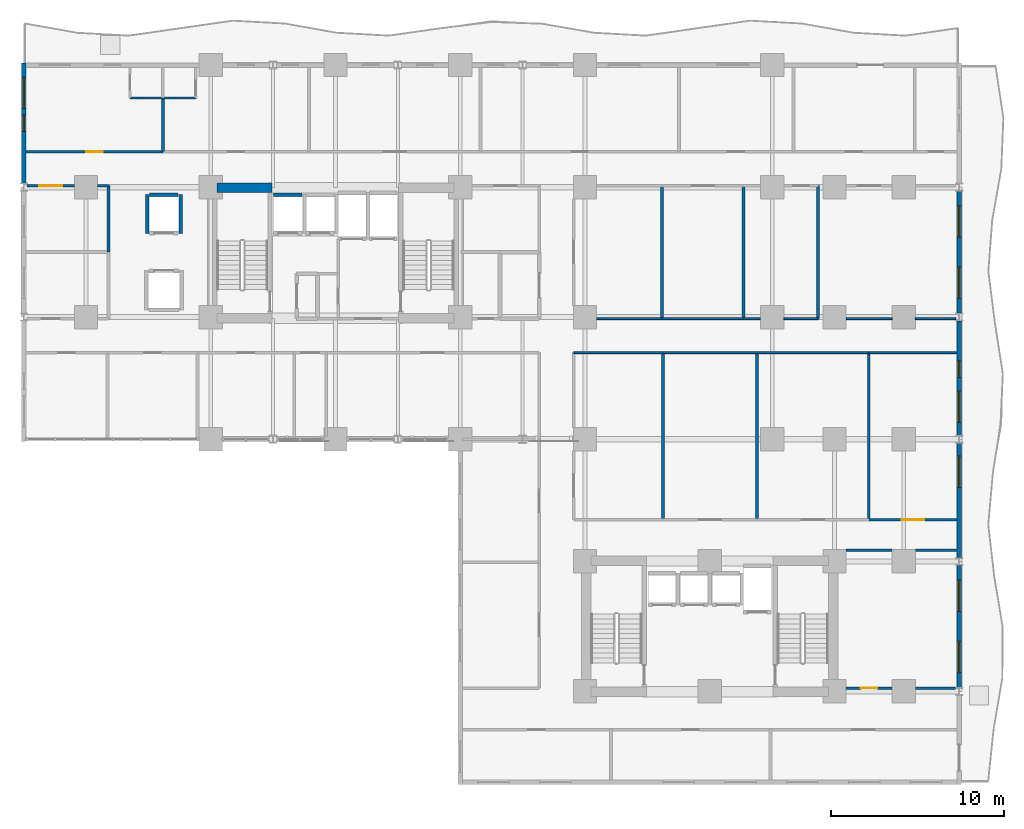
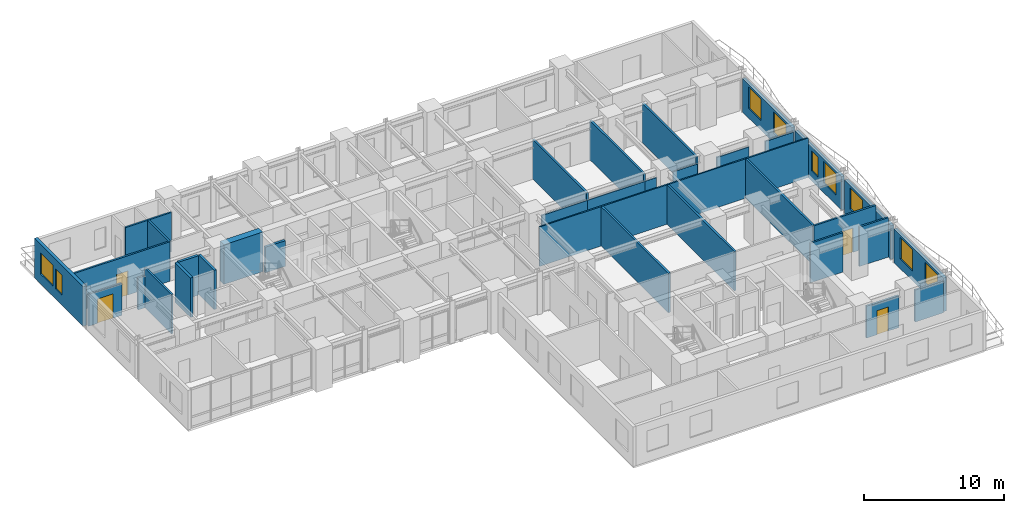
# One storey, part 11 of 17: 38 walls, 9 windows, 4 doors, 13 openings.
"""IFC4 building model written with IfcOpenShell, lengths in metres."""

from ifc_helpers import new_model, si_unit, direction, frame, frame_2d, origin, place, context, subcontext, project, spatial, rectangle, extrude, material, layer, layer_set, type_object, element, fill, save


model = new_model("IFC4")

# Units and contexts
model_context = context("Model", 3, precision=1e-05, world=origin(), true_north=direction((0.0, 1.0)))
body_context = subcontext(model_context, "Body", "Model", "MODEL_VIEW")
ifc_project = project(units=[si_unit("LENGTHUNIT", "METRE"), si_unit("AREAUNIT", "SQUARE_METRE"), si_unit("VOLUMEUNIT", "CUBIC_METRE"), si_unit("PLANEANGLEUNIT", "RADIAN"), si_unit("MASSUNIT", "GRAM", prefix="KILO")], contexts=[model_context])

# Site, building, storey
site_placement = place(None, origin())
site = spatial("IfcSite", under=ifc_project, at=site_placement, CompositionType="ELEMENT")
building_placement = place(site_placement, origin())
building = spatial("IfcBuilding", under=site, at=building_placement, Name="Kaliganga Portal Commons", CompositionType="ELEMENT")
storey_placement = place(building_placement, frame((0.0, 0.0, 43.800048828125)))
storey = spatial("IfcBuildingStorey", under=building, at=storey_placement, Name="L10", CompositionType="ELEMENT", Elevation=43.800048828125)

# Wall
ifc_material_1 = material(Name="Concrete C60/75", Category="concrete")
ifc_layer_1 = layer(ifc_material_1, 0.550048828125)
ifc_layer_set_1 = layer_set([ifc_layer_1], Name="Concrete C60/75")
wall_type_1 = type_object("IfcWallType", Name="WL-CORE-550", PredefinedType="SHEAR", material=ifc_layer_set_1)
wall_1_placement = place(storey_placement, frame((14.75, 36.125, 0.0), z_axis=(0.0, 0.0, 1.0), x_axis=(1.0, 0.0, 0.0)))
element("IfcWall", 1, at=wall_1_placement, inside=storey, type_object=wall_type_1, Name="Core A N-West Shear Wall L10", PredefinedType="SHEAR", context=body_context, shape_type="SweptSolid", body=[
    extrude(rectangle(XDim=3.199951171875, YDim=0.550048828125, at=frame_2d((1.60009765625, 0.0))), origin(), (0.0, 0.0, 1.0), 3.449951171875),
])

# Wall, openings, windows
ifc_material_2 = material(Name="Insulated Aluminium-Clad Spandrel Assembly", Category="aluminium")
ifc_layer_2 = layer(ifc_material_2, 0.260009765625)
ifc_layer_set_2 = layer_set([ifc_layer_2], Name="Insulated Aluminium-Clad Spandrel Assembly")
wall_type_2 = type_object("IfcWallType", Name="WL-EXT-SPAND-260", PredefinedType="STANDARD", material=ifc_layer_set_2)
wall_2_placement = place(storey_placement, frame((57.60009765625, 14.325927734375, 0.0), z_axis=(0.0, 0.0, 1.0), x_axis=(0.0, -1.0, 0.0)))
wall_2 = element("IfcWall", 2, at=wall_2_placement, inside=storey, type_object=wall_type_2, Name="Exterior Envelope Wall L10 P1-E01-S2", PredefinedType="STANDARD", context=body_context, shape_type="SweptSolid", body=[
    extrude(rectangle(XDim=7.052001953125, YDim=0.260009765625, at=frame_2d((3.52587890625, 0.0))), origin(), (0.0, 0.0, 1.0), 2.929931640625),
])
opening_1_placement = place(wall_2_placement, frame((0.863037109375, 0.0, 0.85009765625)))
opening_1 = element("IfcOpeningElement", 3, at=opening_1_placement, cuts=wall_2, Name="Opening W-01", PredefinedType="OPENING", context=body_context, shape_type="SweptSolid", body=[
    extrude(rectangle(XDim=1.800048828125, YDim=1.85009765625, at=frame_2d((0.89990234375, 0.925048828125))), frame((0.0, 0.14013671875, 0.0), z_axis=(0.0, -1.0, 0.0), x_axis=(1.0, 0.0, 0.0)), (0.0, 0.0, 1.0), 0.280029296875),
])
opening_2_placement = place(wall_2_placement, frame((4.388916015625, 0.0, 0.85009765625)))
opening_2 = element("IfcOpeningElement", 4, at=opening_2_placement, cuts=wall_2, Name="Opening W-01", PredefinedType="OPENING", context=body_context, shape_type="SweptSolid", body=[
    extrude(rectangle(XDim=1.800048828125, YDim=1.85009765625, at=frame_2d((0.89990234375, 0.925048828125))), frame((0.0, 0.14013671875, 0.0), z_axis=(0.0, -1.0, 0.0), x_axis=(1.0, 0.0, 0.0)), (0.0, 0.0, 1.0), 0.280029296875),
])
ifc_material_3 = material(Name="Thermally Broken Aluminium and Low-E Double Glazing", Category="aluminium")
window_type_1 = type_object("IfcWindowType", Name="WIN-STD-1800", PartitioningType="DOUBLE_PANEL_VERTICAL", PredefinedType="WINDOW", material=ifc_material_3)
window_1_placement = place(opening_1_placement, origin())
window_1 = element("IfcWindow", 5, at=window_1_placement, inside=storey, type_object=window_type_1, Name="Facade Window L10-P1E01S2-00", OverallHeight=1.85009765625, OverallWidth=1.800048828125, PartitioningType="SINGLE_PANEL", PredefinedType="WINDOW", context=body_context, shape_type="SweptSolid", body=[
    extrude(rectangle(XDim=1.800048828125, YDim=1.85009765625, at=frame_2d((0.89990234375, 0.925048828125))), frame((0.0, 0.030029296875, 0.0), z_axis=(0.0, -1.0, 0.0), x_axis=(1.0, 0.0, 0.0)), (0.0, 0.0, 1.0), 0.06005859375),
])
fill(opening_1, window_1)
window_2_placement = place(opening_2_placement, origin())
window_2 = element("IfcWindow", 6, at=window_2_placement, inside=storey, type_object=window_type_1, Name="Facade Window L10-P1E01S2-01", OverallHeight=1.85009765625, OverallWidth=1.800048828125, PartitioningType="SINGLE_PANEL", PredefinedType="WINDOW", context=body_context, shape_type="SweptSolid", body=[
    extrude(rectangle(XDim=1.800048828125, YDim=1.85009765625, at=frame_2d((0.89990234375, 0.925048828125))), frame((0.0, 0.030029296875, 0.0), z_axis=(0.0, -1.0, 0.0), x_axis=(1.0, 0.0, 0.0)), (0.0, 0.0, 1.0), 0.06005859375),
])
fill(opening_2, window_2)

# Wall, opening, window
wall_3_placement = place(storey_placement, frame((57.60009765625, 21.3759765625, 0.0), z_axis=(0.0, 0.0, 1.0), x_axis=(0.0, -1.0, 0.0)))
wall_3 = element("IfcWall", 7, at=wall_3_placement, inside=storey, type_object=wall_type_2, Name="Exterior Envelope Wall L10 P1-E01-S3", PredefinedType="STANDARD", context=body_context, shape_type="SweptSolid", body=[
    extrude(rectangle(XDim=6.60205078125, YDim=0.260009765625, at=frame_2d((3.301025390625, 0.0))), origin(), (0.0, 0.0, 1.0), 2.929931640625),
])
opening_3_placement = place(wall_3_placement, frame((0.75048828125, 0.0, 0.85009765625)))
opening_3 = element("IfcOpeningElement", 8, at=opening_3_placement, cuts=wall_3, Name="Opening W-01", PredefinedType="OPENING", context=body_context, shape_type="SweptSolid", body=[
    extrude(rectangle(XDim=1.800048828125, YDim=1.85009765625, at=frame_2d((0.89990234375, 0.925048828125))), frame((0.0, 0.14013671875, 0.0), z_axis=(0.0, -1.0, 0.0), x_axis=(1.0, 0.0, 0.0)), (0.0, 0.0, 1.0), 0.280029296875),
])
window_3_placement = place(opening_3_placement, origin())
window_3 = element("IfcWindow", 9, at=window_3_placement, inside=storey, type_object=window_type_1, Name="Facade Window L10-P1E01S3-00", OverallHeight=1.85009765625, OverallWidth=1.800048828125, PartitioningType="SINGLE_PANEL", PredefinedType="WINDOW", context=body_context, shape_type="SweptSolid", body=[
    extrude(rectangle(XDim=1.800048828125, YDim=1.85009765625, at=frame_2d((0.89990234375, 0.925048828125))), frame((0.0, 0.030029296875, 0.0), z_axis=(0.0, -1.0, 0.0), x_axis=(1.0, 0.0, 0.0)), (0.0, 0.0, 1.0), 0.06005859375),
])
fill(opening_3, window_3)

# Wall, openings, windows
wall_4_placement = place(storey_placement, frame((57.60009765625, 28.426025390625, 0.0), z_axis=(0.0, 0.0, 1.0), x_axis=(0.0, -1.0, 0.0)))
wall_4 = element("IfcWall", 10, at=wall_4_placement, inside=storey, type_object=wall_type_2, Name="Exterior Envelope Wall L10 P1-E01-S4", PredefinedType="STANDARD", context=body_context, shape_type="SweptSolid", body=[
    extrude(rectangle(XDim=6.60205078125, YDim=0.260009765625, at=frame_2d((3.301025390625, 0.0))), origin(), (0.0, 0.0, 1.0), 2.929931640625),
])
opening_4_placement = place(wall_4_placement, frame((4.051513671875, 0.0, 0.85009765625)))
opening_4 = element("IfcOpeningElement", 11, at=opening_4_placement, cuts=wall_4, Name="Opening W-01", PredefinedType="OPENING", context=body_context, shape_type="SweptSolid", body=[
    extrude(rectangle(XDim=1.800048828125, YDim=1.85009765625, at=frame_2d((0.89990234375, 0.925048828125))), frame((0.0, 0.14013671875, 0.0), z_axis=(0.0, -1.0, 0.0), x_axis=(1.0, 0.0, 0.0)), (0.0, 0.0, 1.0), 0.280029296875),
])
opening_5_placement = place(wall_4_placement, frame((2.2978515625, 0.0, 0.85009765625)))
opening_5 = element("IfcOpeningElement", 12, at=opening_5_placement, cuts=wall_4, Name="Opening W-04", PredefinedType="OPENING", context=body_context, shape_type="SweptSolid", body=[
    extrude(rectangle(XDim=0.949951171875, YDim=1.75, at=frame_2d((0.47509765625, 0.875))), frame((0.0, 0.14013671875, 0.0), z_axis=(0.0, -1.0, 0.0), x_axis=(1.0, 0.0, 0.0)), (0.0, 0.0, 1.0), 0.280029296875),
])
window_type_2 = type_object("IfcWindowType", Name="WIN-NARROW-950", PartitioningType="SINGLE_PANEL", PredefinedType="WINDOW", material=ifc_material_3)
window_4_placement = place(opening_5_placement, origin())
window_4 = element("IfcWindow", 13, at=window_4_placement, inside=storey, type_object=window_type_2, Name="Facade Window L10-P1E01S4-N5", OverallHeight=1.75, OverallWidth=0.949951171875, PartitioningType="SINGLE_PANEL", PredefinedType="WINDOW", context=body_context, shape_type="SweptSolid", body=[
    extrude(rectangle(XDim=0.949951171875, YDim=1.75, at=frame_2d((0.47509765625, 0.875))), frame((0.0, 0.030029296875, 0.0), z_axis=(0.0, -1.0, 0.0), x_axis=(1.0, 0.0, 0.0)), (0.0, 0.0, 1.0), 0.06005859375),
])
fill(opening_5, window_4)
window_5_placement = place(opening_4_placement, origin())
window_5 = element("IfcWindow", 14, at=window_5_placement, inside=storey, type_object=window_type_1, Name="Facade Window L10-P1E01S4-01", OverallHeight=1.85009765625, OverallWidth=1.800048828125, PartitioningType="SINGLE_PANEL", PredefinedType="WINDOW", context=body_context, shape_type="SweptSolid", body=[
    extrude(rectangle(XDim=1.800048828125, YDim=1.85009765625, at=frame_2d((0.89990234375, 0.925048828125))), frame((0.0, 0.030029296875, 0.0), z_axis=(0.0, -1.0, 0.0), x_axis=(1.0, 0.0, 0.0)), (0.0, 0.0, 1.0), 0.06005859375),
])
fill(opening_4, window_5)

wall_5_placement = place(storey_placement, frame((57.60009765625, 35.926025390625, 0.0), z_axis=(0.0, 0.0, 1.0), x_axis=(0.0, -1.0, 0.0)))
wall_5 = element("IfcWall", 15, at=wall_5_placement, inside=storey, type_object=wall_type_2, Name="Exterior Envelope Wall L10 P1-E01-S5", PredefinedType="STANDARD", context=body_context, shape_type="SweptSolid", body=[
    extrude(rectangle(XDim=7.052001953125, YDim=0.260009765625, at=frame_2d((3.52587890625, 0.0))), origin(), (0.0, 0.0, 1.0), 2.929931640625),
])
opening_6_placement = place(wall_5_placement, frame((0.863037109375, 0.0, 0.85009765625)))
opening_6 = element("IfcOpeningElement", 16, at=opening_6_placement, cuts=wall_5, Name="Opening W-01", PredefinedType="OPENING", context=body_context, shape_type="SweptSolid", body=[
    extrude(rectangle(XDim=1.800048828125, YDim=1.85009765625, at=frame_2d((0.89990234375, 0.925048828125))), frame((0.0, 0.14013671875, 0.0), z_axis=(0.0, -1.0, 0.0), x_axis=(1.0, 0.0, 0.0)), (0.0, 0.0, 1.0), 0.280029296875),
])
opening_7_placement = place(wall_5_placement, frame((4.388916015625, 0.0, 0.85009765625)))
opening_7 = element("IfcOpeningElement", 17, at=opening_7_placement, cuts=wall_5, Name="Opening W-01", PredefinedType="OPENING", context=body_context, shape_type="SweptSolid", body=[
    extrude(rectangle(XDim=1.800048828125, YDim=1.85009765625, at=frame_2d((0.89990234375, 0.925048828125))), frame((0.0, 0.14013671875, 0.0), z_axis=(0.0, -1.0, 0.0), x_axis=(1.0, 0.0, 0.0)), (0.0, 0.0, 1.0), 0.280029296875),
])
window_6_placement = place(opening_6_placement, origin())
window_6 = element("IfcWindow", 18, at=window_6_placement, inside=storey, type_object=window_type_1, Name="Facade Window L10-P1E01S5-00", OverallHeight=1.85009765625, OverallWidth=1.800048828125, PartitioningType="SINGLE_PANEL", PredefinedType="WINDOW", context=body_context, shape_type="SweptSolid", body=[
    extrude(rectangle(XDim=1.800048828125, YDim=1.85009765625, at=frame_2d((0.89990234375, 0.925048828125))), frame((0.0, 0.030029296875, 0.0), z_axis=(0.0, -1.0, 0.0), x_axis=(1.0, 0.0, 0.0)), (0.0, 0.0, 1.0), 0.06005859375),
])
fill(opening_6, window_6)
window_7_placement = place(opening_7_placement, origin())
window_7 = element("IfcWindow", 19, at=window_7_placement, inside=storey, type_object=window_type_1, Name="Facade Window L10-P1E01S5-01", OverallHeight=1.85009765625, OverallWidth=1.800048828125, PartitioningType="SINGLE_PANEL", PredefinedType="WINDOW", context=body_context, shape_type="SweptSolid", body=[
    extrude(rectangle(XDim=1.800048828125, YDim=1.85009765625, at=frame_2d((0.89990234375, 0.925048828125))), frame((0.0, 0.030029296875, 0.0), z_axis=(0.0, -1.0, 0.0), x_axis=(1.0, 0.0, 0.0)), (0.0, 0.0, 1.0), 0.06005859375),
])
fill(opening_7, window_7)

wall_6_placement = place(storey_placement, frame((3.60009765625, 36.3740234375, 0.0), z_axis=(0.0, 0.0, 1.0), x_axis=(0.0, 1.0, 0.0)))
wall_6 = element("IfcWall", 20, at=wall_6_placement, inside=storey, type_object=wall_type_2, Name="Exterior Envelope Wall L10 P1-E03-S1", PredefinedType="STANDARD", context=body_context, shape_type="SweptSolid", body=[
    extrude(rectangle(XDim=6.9560546875, YDim=0.260009765625, at=frame_2d((3.47802734375, 0.0))), origin(), (0.0, 0.0, 1.0), 3.429931640625),
])
opening_8_placement = place(wall_6_placement, frame((4.31689453125, 0.0, 0.85009765625)))
opening_8 = element("IfcOpeningElement", 21, at=opening_8_placement, cuts=wall_6, Name="Opening W-01", PredefinedType="OPENING", context=body_context, shape_type="SweptSolid", body=[
    extrude(rectangle(XDim=1.800048828125, YDim=1.85009765625, at=frame_2d((0.89990234375, 0.925048828125))), frame((0.0, 0.14013671875, 0.0), z_axis=(0.0, -1.0, 0.0), x_axis=(1.0, 0.0, 0.0)), (0.0, 0.0, 1.0), 0.280029296875),
])
opening_9_placement = place(wall_6_placement, frame((3.0029296875, 0.0, 0.85009765625)))
opening_9 = element("IfcOpeningElement", 22, at=opening_9_placement, cuts=wall_6, Name="Opening W-04", PredefinedType="OPENING", context=body_context, shape_type="SweptSolid", body=[
    extrude(rectangle(XDim=0.949951171875, YDim=1.75, at=frame_2d((0.47509765625, 0.875))), frame((0.0, 0.14013671875, 0.0), z_axis=(0.0, -1.0, 0.0), x_axis=(1.0, 0.0, 0.0)), (0.0, 0.0, 1.0), 0.280029296875),
])
window_8_placement = place(opening_9_placement, origin())
window_8 = element("IfcWindow", 23, at=window_8_placement, inside=storey, type_object=window_type_2, Name="Facade Window L10-P1E03S1-N0", OverallHeight=1.75, OverallWidth=0.949951171875, PartitioningType="SINGLE_PANEL", PredefinedType="WINDOW", context=body_context, shape_type="SweptSolid", body=[
    extrude(rectangle(XDim=0.949951171875, YDim=1.75, at=frame_2d((0.47509765625, 0.875))), frame((0.0, 0.030029296875, 0.0), z_axis=(0.0, -1.0, 0.0), x_axis=(1.0, 0.0, 0.0)), (0.0, 0.0, 1.0), 0.06005859375),
])
fill(opening_9, window_8)
window_9_placement = place(opening_8_placement, origin())
window_9 = element("IfcWindow", 24, at=window_9_placement, inside=storey, type_object=window_type_1, Name="Facade Window L10-P1E03S1-01", OverallHeight=1.85009765625, OverallWidth=1.800048828125, PartitioningType="SINGLE_PANEL", PredefinedType="WINDOW", context=body_context, shape_type="SweptSolid", body=[
    extrude(rectangle(XDim=1.800048828125, YDim=1.85009765625, at=frame_2d((0.89990234375, 0.925048828125))), frame((0.0, 0.030029296875, 0.0), z_axis=(0.0, -1.0, 0.0), x_axis=(1.0, 0.0, 0.0)), (0.0, 0.0, 1.0), 0.06005859375),
])
fill(opening_8, window_9)

# Wall, opening, door
ifc_material_4 = material(Name="Fire-Rated Gypsum Board on Steel Stud", Category="steel")
ifc_layer_3 = layer(ifc_material_4, 0.14990234375)
ifc_layer_set_3 = layer_set([ifc_layer_3], Name="Fire-Rated Gypsum Board on Steel Stud")
wall_type_3 = type_object("IfcWallType", Name="WL-PART-CORR-150", PredefinedType="PARTITIONING", material=ifc_layer_set_3)
wall_7_placement = place(storey_placement, frame((3.73193359375, 38.199951171875, 0.0), z_axis=(0.0, 0.0, 1.0), x_axis=(1.0, 0.0, 0.0)))
wall_7 = element("IfcWall", 25, at=wall_7_placement, inside=storey, type_object=wall_type_3, Name="Interior Partition L10-017", PredefinedType="PARTITIONING", context=body_context, shape_type="SweptSolid", body=[
    extrude(rectangle(XDim=7.907958984375, YDim=0.14990234375, at=frame_2d((3.9541015625, 0.0))), origin(), (0.0, 0.0, 1.0), 3.429931640625),
])
opening_10_placement = place(wall_7_placement, frame((3.47900390625, 0.0, 0.0)))
opening_10 = element("IfcOpeningElement", 26, at=opening_10_placement, cuts=wall_7, Name="Opening UD-01", PredefinedType="OPENING", context=body_context, shape_type="SweptSolid", body=[
    extrude(rectangle(XDim=0.949951171875, YDim=2.10009765625, at=frame_2d((0.47509765625, 1.050048828125))), frame((0.0, 0.0849609375, 0.0), z_axis=(0.0, -1.0, 0.0), x_axis=(1.0, 0.0, 0.0)), (0.0, 0.0, 1.0), 0.169921875),
])
ifc_material_5 = material(Name="Solid-Core Timber Acoustic Fire Door", Category="wood")
door_type_1 = type_object("IfcDoorType", Name="DR-UNIT-950", OperationType="NOTDEFINED", PredefinedType="DOOR", material=ifc_material_5)
door_1_placement = place(opening_10_placement, origin())
door_1 = element("IfcDoor", 27, at=door_1_placement, inside=storey, type_object=door_type_1, Name="Interior Door L10-AN01", OperationType="SINGLE_SWING_LEFT", OverallHeight=2.10009765625, OverallWidth=0.949951171875, PredefinedType="DOOR", context=body_context, shape_type="SweptSolid", body=[
    extrude(rectangle(XDim=0.949951171875, YDim=2.10009765625, at=frame_2d((0.47509765625, 1.050048828125))), frame((0.0, 0.02490234375, 0.0), z_axis=(0.0, -1.0, 0.0), x_axis=(1.0, 0.0, 0.0)), (0.0, 0.0, 1.0), 0.050048828125),
])
fill(opening_10, door_1)

wall_8_placement = place(storey_placement, frame((51.074951171875, 7.239990234375, 0.0), z_axis=(0.0, 0.0, 1.0), x_axis=(1.0, 0.0, 0.0)))
wall_8 = element("IfcWall", 28, at=wall_8_placement, inside=storey, type_object=wall_type_3, Name="Interior Partition L10-021", PredefinedType="PARTITIONING", context=body_context, shape_type="SweptSolid", body=[
    extrude(rectangle(XDim=2.650146484375, YDim=0.14990234375, at=frame_2d((1.3251953125, 0.0))), origin(), (0.0, 0.0, 1.0), 2.780029296875),
])
opening_11_placement = place(wall_8_placement, frame((0.85009765625, 0.0, 0.0)))
opening_11 = element("IfcOpeningElement", 29, at=opening_11_placement, cuts=wall_8, Name="Opening UD-01", PredefinedType="OPENING", context=body_context, shape_type="SweptSolid", body=[
    extrude(rectangle(XDim=0.949951171875, YDim=2.10009765625, at=frame_2d((0.47509765625, 1.050048828125))), frame((0.0, 0.0849609375, 0.0), z_axis=(0.0, -1.0, 0.0), x_axis=(1.0, 0.0, 0.0)), (0.0, 0.0, 1.0), 0.169921875),
])
door_2_placement = place(opening_11_placement, origin())
door_2 = element("IfcDoor", 30, at=door_2_placement, inside=storey, type_object=door_type_1, Name="Interior Door L10-BE01", OperationType="SINGLE_SWING_LEFT", OverallHeight=2.10009765625, OverallWidth=0.949951171875, PredefinedType="DOOR", context=body_context, shape_type="SweptSolid", body=[
    extrude(rectangle(XDim=0.949951171875, YDim=2.10009765625, at=frame_2d((0.47509765625, 1.050048828125))), frame((0.0, 0.02490234375, 0.0), z_axis=(0.0, -1.0, 0.0), x_axis=(1.0, 0.0, 0.0)), (0.0, 0.0, 1.0), 0.050048828125),
])
fill(opening_11, door_2)

# Walls
wall_9_placement = place(storey_placement, frame((55.074951171875, 7.239990234375, 0.0), z_axis=(0.0, 0.0, 1.0), x_axis=(1.0, 0.0, 0.0)))
element("IfcWall", 31, at=wall_9_placement, inside=storey, type_object=wall_type_3, Name="Interior Partition L10-022", PredefinedType="PARTITIONING", context=body_context, shape_type="SweptSolid", body=[
    extrude(rectangle(XDim=2.317138671875, YDim=0.14990234375, at=frame_2d((1.15869140625, 0.0))), origin(), (0.0, 0.0, 1.0), 2.780029296875),
])
wall_10_placement = place(storey_placement, frame((51.074951171875, 15.199951171875, 0.0), z_axis=(0.0, 0.0, 1.0), x_axis=(1.0, 0.0, 0.0)))
element("IfcWall", 32, at=wall_10_placement, inside=storey, type_object=wall_type_3, Name="Interior Partition L10-023", PredefinedType="PARTITIONING", context=body_context, shape_type="SweptSolid", body=[
    extrude(rectangle(XDim=2.650146484375, YDim=0.14990234375, at=frame_2d((1.3251953125, 0.0))), origin(), (0.0, 0.0, 1.0), 3.429931640625),
])
wall_11_placement = place(storey_placement, frame((55.074951171875, 15.199951171875, 0.0), z_axis=(0.0, 0.0, 1.0), x_axis=(1.0, 0.0, 0.0)))
element("IfcWall", 33, at=wall_11_placement, inside=storey, type_object=wall_type_3, Name="Interior Partition L10-024", PredefinedType="PARTITIONING", context=body_context, shape_type="SweptSolid", body=[
    extrude(rectangle(XDim=2.39306640625, YDim=0.14990234375, at=frame_2d((1.196533203125, 0.0))), origin(), (0.0, 0.0, 1.0), 3.429931640625),
])

# Wall, opening, door
wall_12_placement = place(storey_placement, frame((52.3798828125, 16.9599609375, 0.0), z_axis=(0.0, 0.0, 1.0), x_axis=(1.0, 0.0, 0.0)))
wall_12 = element("IfcWall", 34, at=wall_12_placement, inside=storey, type_object=wall_type_3, Name="Interior Partition L10-030", PredefinedType="PARTITIONING", context=body_context, shape_type="SweptSolid", body=[
    extrude(rectangle(XDim=5.088134765625, YDim=0.14990234375, at=frame_2d((2.5439453125, 0.0))), origin(), (0.0, 0.0, 1.0), 3.429931640625),
])
opening_12_placement = place(wall_12_placement, frame((1.89404296875, 0.0, 0.0)))
opening_12 = element("IfcOpeningElement", 35, at=opening_12_placement, cuts=wall_12, Name="Opening RD-03", PredefinedType="OPENING", context=body_context, shape_type="SweptSolid", body=[
    extrude(rectangle(XDim=1.300048828125, YDim=2.1201171875, at=frame_2d((0.64990234375, 1.06005859375))), frame((0.0, 0.0849609375, 0.0), z_axis=(0.0, -1.0, 0.0), x_axis=(1.0, 0.0, 0.0)), (0.0, 0.0, 1.0), 0.169921875),
])
ifc_material_6 = material(Name="Glazed Timber Seminar Vision Door", Category="wood")
door_type_2 = type_object("IfcDoorType", Name="DR-STUDY-1300", OperationType="DOUBLE_DOOR_SINGLE_SWING", PredefinedType="DOOR", material=ifc_material_6)
door_3_placement = place(opening_12_placement, origin())
door_3 = element("IfcDoor", 36, at=door_3_placement, inside=storey, type_object=door_type_2, Name="Interior Door L10-BM04", OperationType="DOUBLE_DOOR_SINGLE_SWING", OverallHeight=2.1201171875, OverallWidth=1.300048828125, PredefinedType="DOOR", context=body_context, shape_type="SweptSolid", body=[
    extrude(rectangle(XDim=1.300048828125, YDim=2.1201171875, at=frame_2d((0.64990234375, 1.06005859375))), frame((0.0, 0.02490234375, 0.0), z_axis=(0.0, -1.0, 0.0), x_axis=(1.0, 0.0, 0.0)), (0.0, 0.0, 1.0), 0.050048828125),
])
fill(opening_12, door_3)

wall_13_placement = place(storey_placement, frame((3.80810546875, 36.239990234375, 0.0), z_axis=(0.0, 0.0, 1.0), x_axis=(1.0, 0.0, 0.0)))
wall_13 = element("IfcWall", 37, at=wall_13_placement, inside=storey, type_object=wall_type_3, Name="Interior Partition L10-037", PredefinedType="PARTITIONING", context=body_context, shape_type="SweptSolid", body=[
    extrude(rectangle(XDim=2.716796875, YDim=0.14990234375, at=frame_2d((1.3583984375, 0.0))), origin(), (0.0, 0.0, 1.0), 2.780029296875),
])
opening_13_placement = place(wall_13_placement, frame((0.70849609375, 0.0, 0.0)))
opening_13 = element("IfcOpeningElement", 38, at=opening_13_placement, cuts=wall_13, Name="Opening RD-03", PredefinedType="OPENING", context=body_context, shape_type="SweptSolid", body=[
    extrude(rectangle(XDim=1.300048828125, YDim=2.1201171875, at=frame_2d((0.64990234375, 1.06005859375))), frame((0.0, 0.0849609375, 0.0), z_axis=(0.0, -1.0, 0.0), x_axis=(1.0, 0.0, 0.0)), (0.0, 0.0, 1.0), 0.169921875),
])
door_4_placement = place(opening_13_placement, origin())
door_4 = element("IfcDoor", 39, at=door_4_placement, inside=storey, type_object=door_type_2, Name="Interior Door L10-AW02", OperationType="DOUBLE_DOOR_SINGLE_SWING", OverallHeight=2.1201171875, OverallWidth=1.300048828125, PredefinedType="DOOR", context=body_context, shape_type="SweptSolid", body=[
    extrude(rectangle(XDim=1.300048828125, YDim=2.1201171875, at=frame_2d((0.64990234375, 1.06005859375))), frame((0.0, 0.02490234375, 0.0), z_axis=(0.0, -1.0, 0.0), x_axis=(1.0, 0.0, 0.0)), (0.0, 0.0, 1.0), 0.050048828125),
])
fill(opening_13, door_4)

# Walls
wall_14_placement = place(storey_placement, frame((7.875, 36.239990234375, 0.0), z_axis=(0.0, 0.0, 1.0), x_axis=(1.0, 0.0, 0.0)))
element("IfcWall", 40, at=wall_14_placement, inside=storey, type_object=wall_type_3, Name="Interior Partition L10-038", PredefinedType="PARTITIONING", context=body_context, shape_type="SweptSolid", body=[
    extrude(rectangle(XDim=0.625, YDim=0.14990234375, at=frame_2d((0.3125, 0.0))), origin(), (0.0, 0.0, 1.0), 2.780029296875),
])
wall_15_placement = place(storey_placement, frame((8.5, 32.39990234375, 0.0), z_axis=(0.0, 0.0, 1.0), x_axis=(0.0, 1.0, 0.0)))
element("IfcWall", 41, at=wall_15_placement, inside=storey, type_object=wall_type_3, Name="Interior Partition L10-045", PredefinedType="PARTITIONING", context=body_context, shape_type="SweptSolid", body=[
    extrude(rectangle(XDim=3.840087890625, YDim=0.14990234375, at=frame_2d((1.919921875, 0.0))), origin(), (0.0, 0.0, 1.0), 3.429931640625),
])
ifc_material_7 = material(Name="Moisture-Resistant Gypsum Partition", Category="gypsum")
ifc_layer_4 = layer(ifc_material_7, 0.114990234375)
ifc_layer_set_4 = layer_set([ifc_layer_4], Name="Moisture-Resistant Gypsum Partition")
wall_type_4 = type_object("IfcWallType", Name="WL-PART-ROOM-115", PredefinedType="PARTITIONING", material=ifc_layer_set_4)
wall_16_placement = place(storey_placement, frame((51.074951171875, 28.56005859375, 0.0), z_axis=(0.0, 0.0, 1.0), x_axis=(1.0, 0.0, 0.0)))
element("IfcWall", 42, at=wall_16_placement, inside=storey, type_object=wall_type_4, Name="Interior Partition L10-062", PredefinedType="PARTITIONING", context=body_context, shape_type="SweptSolid", body=[
    extrude(rectangle(XDim=2.650146484375, YDim=0.114990234375, at=frame_2d((1.3251953125, 0.0))), origin(), (0.0, 0.0, 1.0), 2.780029296875),
])
wall_17_placement = place(storey_placement, frame((55.074951171875, 28.56005859375, 0.0), z_axis=(0.0, 0.0, 1.0), x_axis=(1.0, 0.0, 0.0)))
element("IfcWall", 43, at=wall_17_placement, inside=storey, type_object=wall_type_4, Name="Interior Partition L10-063", PredefinedType="PARTITIONING", context=body_context, shape_type="SweptSolid", body=[
    extrude(rectangle(XDim=2.317138671875, YDim=0.114990234375, at=frame_2d((1.15869140625, 0.0))), origin(), (0.0, 0.0, 1.0), 2.780029296875),
])
wall_18_placement = place(storey_placement, frame((45.919921875, 26.60009765625, 0.0), z_axis=(0.0, 0.0, 1.0), x_axis=(1.0, 0.0, 0.0)))
element("IfcWall", 44, at=wall_18_placement, inside=storey, type_object=wall_type_4, Name="Interior Partition L10-067", PredefinedType="PARTITIONING", context=body_context, shape_type="SweptSolid", body=[
    extrude(rectangle(XDim=6.4599609375, YDim=0.114990234375, at=frame_2d((3.22998046875, 0.0))), origin(), (0.0, 0.0, 1.0), 3.429931640625),
])
wall_19_placement = place(storey_placement, frame((40.5, 26.60009765625, 0.0), z_axis=(0.0, 0.0, 1.0), x_axis=(1.0, 0.0, 0.0)))
element("IfcWall", 45, at=wall_19_placement, inside=storey, type_object=wall_type_4, Name="Interior Partition L10-068", PredefinedType="PARTITIONING", context=body_context, shape_type="SweptSolid", body=[
    extrude(rectangle(XDim=5.419921875, YDim=0.114990234375, at=frame_2d((2.7099609375, 0.0))), origin(), (0.0, 0.0, 1.0), 3.429931640625),
])
wall_20_placement = place(storey_placement, frame((52.3798828125, 26.60009765625, 0.0), z_axis=(0.0, 0.0, 1.0), x_axis=(1.0, 0.0, 0.0)))
element("IfcWall", 46, at=wall_20_placement, inside=storey, type_object=wall_type_4, Name="Interior Partition L10-069", PredefinedType="PARTITIONING", context=body_context, shape_type="SweptSolid", body=[
    extrude(rectangle(XDim=5.088134765625, YDim=0.114990234375, at=frame_2d((2.5439453125, 0.0))), origin(), (0.0, 0.0, 1.0), 3.429931640625),
])
wall_21_placement = place(storey_placement, frame((35.360107421875, 26.60009765625, 0.0), z_axis=(0.0, 0.0, 1.0), x_axis=(1.0, 0.0, 0.0)))
element("IfcWall", 47, at=wall_21_placement, inside=storey, type_object=wall_type_4, Name="Interior Partition L10-070", PredefinedType="PARTITIONING", context=body_context, shape_type="SweptSolid", body=[
    extrude(rectangle(XDim=5.139892578125, YDim=0.114990234375, at=frame_2d((2.56982421875, 0.0))), origin(), (0.0, 0.0, 1.0), 3.429931640625),
])
wall_22_placement = place(storey_placement, frame((36.675048828125, 28.56005859375, 0.0), z_axis=(0.0, 0.0, 1.0), x_axis=(1.0, 0.0, 0.0)))
element("IfcWall", 48, at=wall_22_placement, inside=storey, type_object=wall_type_4, Name="Interior Partition L10-071", PredefinedType="PARTITIONING", context=body_context, shape_type="SweptSolid", body=[
    extrude(rectangle(XDim=3.764892578125, YDim=0.114990234375, at=frame_2d((1.88232421875, 0.0))), origin(), (0.0, 0.0, 1.0), 2.780029296875),
])
wall_23_placement = place(storey_placement, frame((40.43994140625, 28.56005859375, 0.0), z_axis=(0.0, 0.0, 1.0), x_axis=(1.0, 0.0, 0.0)))
element("IfcWall", 49, at=wall_23_placement, inside=storey, type_object=wall_type_4, Name="Interior Partition L10-082", PredefinedType="PARTITIONING", context=body_context, shape_type="SweptSolid", body=[
    extrude(rectangle(XDim=4.719970703125, YDim=0.114990234375, at=frame_2d((2.35986328125, 0.0))), origin(), (0.0, 0.0, 1.0), 2.780029296875),
])
wall_24_placement = place(storey_placement, frame((45.159912109375, 28.56005859375, 0.0), z_axis=(0.0, 0.0, 1.0), x_axis=(1.0, 0.0, 0.0)))
element("IfcWall", 50, at=wall_24_placement, inside=storey, type_object=wall_type_4, Name="Interior Partition L10-085", PredefinedType="PARTITIONING", context=body_context, shape_type="SweptSolid", body=[
    extrude(rectangle(XDim=0.965087890625, YDim=0.114990234375, at=frame_2d((0.482421875, 0.0))), origin(), (0.0, 0.0, 1.0), 2.780029296875),
])
wall_25_placement = place(storey_placement, frame((47.47509765625, 28.56005859375, 0.0), z_axis=(0.0, 0.0, 1.0), x_axis=(1.0, 0.0, 0.0)))
element("IfcWall", 51, at=wall_25_placement, inside=storey, type_object=wall_type_4, Name="Interior Partition L10-086", PredefinedType="PARTITIONING", context=body_context, shape_type="SweptSolid", body=[
    extrude(rectangle(XDim=1.98486328125, YDim=0.114990234375, at=frame_2d((0.992431640625, 0.0))), origin(), (0.0, 0.0, 1.0), 2.780029296875),
])
ifc_material_8 = material(Name="Twin-Stud Acoustic Gypsum Partition", Category="gypsum")
ifc_layer_5 = layer(ifc_material_8, 0.1650390625)
ifc_layer_set_5 = layer_set([ifc_layer_5], Name="Twin-Stud Acoustic Gypsum Partition")
wall_type_5 = type_object("IfcWallType", Name="WL-PART-UNIT-165", PredefinedType="PARTITIONING", material=ifc_layer_set_5)
for number, where, z_axis, x_axis, name in (
    (52, (40.5, 16.9599609375, 0.0), (0.0, 0.0, 1.0), (0.0, 1.0, 0.0), "Interior Partition L10-059"),
    (53, (45.919921875, 16.9599609375, 0.0), (0.0, 0.0, 1.0), (0.0, 1.0, 0.0), "Interior Partition L10-060"),
    (54, (52.3798828125, 16.9599609375, 0.0), (0.0, 0.0, 1.0), (0.0, 1.0, 0.0), "Interior Partition L10-061"),
):
    element("IfcWall", number, at=place(storey_placement, frame(where, z_axis=z_axis, x_axis=x_axis)), inside=storey, type_object=wall_type_5, Name=name, PredefinedType="PARTITIONING", context=body_context, shape_type="SweptSolid", body=[
        extrude(rectangle(XDim=9.64013671875, YDim=0.1650390625, at=frame_2d((4.820068359375, 0.0))), origin(), (0.0, 0.0, 1.0), 3.429931640625),
    ])
for number, where, z_axis, x_axis, name in (
    (55, (40.43994140625, 28.56005859375, 0.0), (0.0, 0.0, 1.0), (0.0, 1.0, 0.0), "Interior Partition L10-064"),
    (56, (45.159912109375, 28.56005859375, 0.0), (0.0, 0.0, 1.0), (0.0, 1.0, 0.0), "Interior Partition L10-065"),
    (57, (49.4599609375, 28.56005859375, 0.0), (0.0, 0.0, 1.0), (0.0, 1.0, 0.0), "Interior Partition L10-066"),
):
    element("IfcWall", number, at=place(storey_placement, frame(where, z_axis=z_axis, x_axis=x_axis)), inside=storey, type_object=wall_type_5, Name=name, PredefinedType="PARTITIONING", context=body_context, shape_type="SweptSolid", body=[
        extrude(rectangle(XDim=7.679931640625, YDim=0.1650390625, at=frame_2d((3.83984375, 0.0))), origin(), (0.0, 0.0, 1.0), 3.429931640625),
    ])
wall_26_placement = place(storey_placement, frame((11.639892578125, 38.199951171875, 0.0), z_axis=(0.0, 0.0, 1.0), x_axis=(0.0, 1.0, 0.0)))
element("IfcWall", 58, at=wall_26_placement, inside=storey, type_object=wall_type_5, Name="Interior Partition L10-089", PredefinedType="PARTITIONING", context=body_context, shape_type="SweptSolid", body=[
    extrude(rectangle(XDim=3.10009765625, YDim=0.1650390625, at=frame_2d((1.550048828125, 0.0))), origin(), (0.0, 0.0, 1.0), 3.429931640625),
])
ifc_material_9 = material(Name="Cement-Board Wet-Room Partition", Category="gypsum")
ifc_layer_6 = layer(ifc_material_9, 0.135009765625)
ifc_layer_set_6 = layer_set([ifc_layer_6], Name="Cement-Board Wet-Room Partition")
wall_type_6 = type_object("IfcWallType", Name="WL-PART-WET-135", PredefinedType="PARTITIONING", material=ifc_layer_set_6)
wall_27_placement = place(storey_placement, frame((9.739990234375, 41.300048828125, 0.0), z_axis=(0.0, 0.0, 1.0), x_axis=(1.0, 0.0, 0.0)))
element("IfcWall", 59, at=wall_27_placement, inside=storey, type_object=wall_type_6, Name="Interior Partition L10-004", PredefinedType="PARTITIONING", context=body_context, shape_type="SweptSolid", body=[
    extrude(rectangle(XDim=1.89990234375, YDim=0.135009765625, at=frame_2d((0.949951171875, 0.0))), origin(), (0.0, 0.0, 1.0), 3.429931640625),
])
wall_28_placement = place(storey_placement, frame((11.639892578125, 41.300048828125, 0.0), z_axis=(0.0, 0.0, 1.0), x_axis=(1.0, 0.0, 0.0)))
element("IfcWall", 60, at=wall_28_placement, inside=storey, type_object=wall_type_6, Name="Interior Partition L10-005", PredefinedType="PARTITIONING", context=body_context, shape_type="SweptSolid", body=[
    extrude(rectangle(XDim=1.900146484375, YDim=0.135009765625, at=frame_2d((0.9501953125, 0.0))), origin(), (0.0, 0.0, 1.0), 3.429931640625),
])
ifc_material_10 = material(Name="Fire-Rated Shaftwall Masonry Assembly", Category="masonry")
ifc_layer_7 = layer(ifc_material_10, 0.199951171875)
ifc_layer_set_7 = layer_set([ifc_layer_7], Name="Fire-Rated Shaftwall Masonry Assembly")
wall_type_7 = type_object("IfcWallType", Name="WL-SHAFT-200", PredefinedType="PARTITIONING", material=ifc_layer_set_7)
wall_29_placement = place(storey_placement, frame((18.02490234375, 35.715087890625, 0.0), z_axis=(0.0, 0.0, 1.0), x_axis=(1.0, 0.0, 0.0)))
element("IfcWall", 61, at=wall_29_placement, inside=storey, type_object=wall_type_7, Name="Lift PL-A1 Hoistway Shaft Wall L10-N", PredefinedType="PARTITIONING", context=body_context, shape_type="SweptSolid", body=[
    extrude(rectangle(XDim=1.650146484375, YDim=0.199951171875, at=frame_2d((0.8251953125, 0.0))), origin(), (0.0, 0.0, 1.0), 2.22998046875),
])
wall_30_placement = place(storey_placement, frame((10.875, 35.715087890625, 0.0), z_axis=(0.0, 0.0, 1.0), x_axis=(1.0, 0.0, 0.0)))
element("IfcWall", 62, at=wall_30_placement, inside=storey, type_object=wall_type_7, Name="Lift PL-OBS Hoistway Shaft Wall L10-N", PredefinedType="PARTITIONING", context=body_context, shape_type="SweptSolid", body=[
    extrude(rectangle(XDim=1.64990234375, YDim=0.199951171875, at=frame_2d((0.824951171875, 0.0))), origin(), (0.0, 0.0, 1.0), 3.429931640625),
])
for number, where, z_axis, x_axis, name in (
    (63, (10.735107421875, 33.485107421875, 0.0), (0.0, 0.0, 1.0), (0.0, 1.0, 0.0), "Lift PL-OBS Hoistway Shaft Wall L10-W"),
    (64, (12.6650390625, 33.485107421875, 0.0), (0.0, 0.0, 1.0), (0.0, 1.0, 0.0), "Lift PL-OBS Hoistway Shaft Wall L10-E"),
):
    element("IfcWall", number, at=place(storey_placement, frame(where, z_axis=z_axis, x_axis=x_axis)), inside=storey, type_object=wall_type_7, Name=name, PredefinedType="PARTITIONING", context=body_context, shape_type="SweptSolid", body=[
        extrude(rectangle(XDim=2.22998046875, YDim=0.199951171875, at=frame_2d((1.114990234375, 0.0))), origin(), (0.0, 0.0, 1.0), 3.429931640625),
    ])

save(model, "model.ifc")
